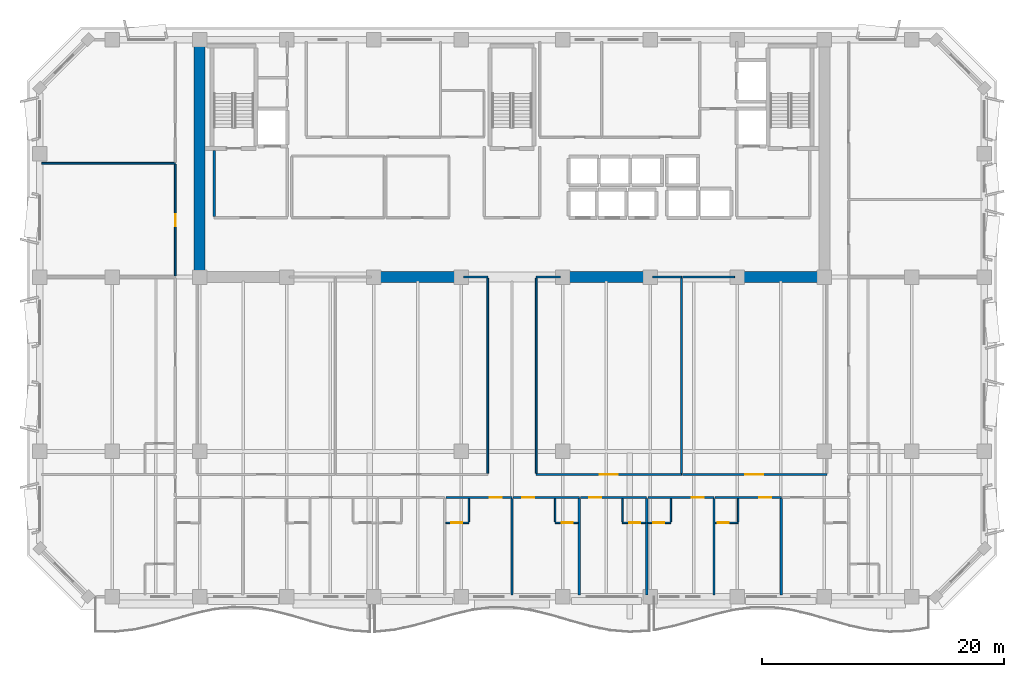
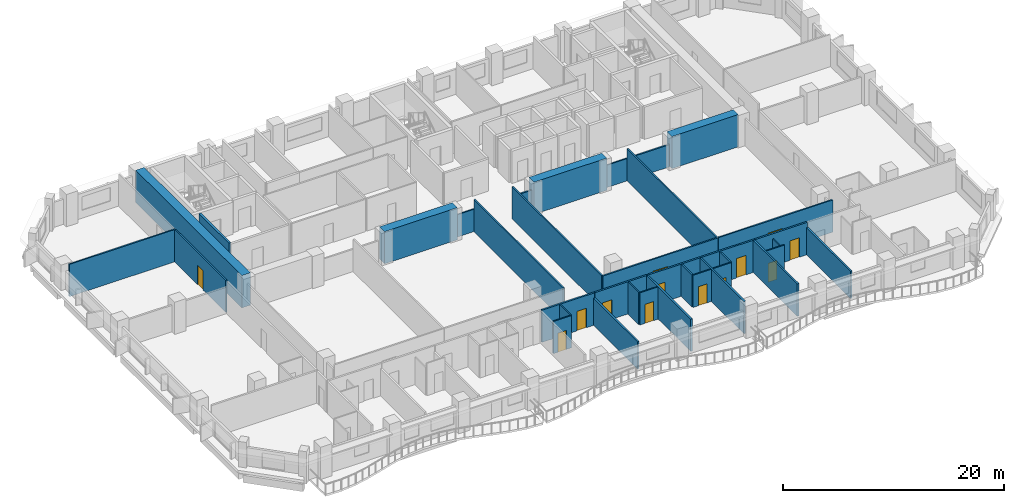
# One storey, part 6 of 15: 36 walls, 13 doors, 13 openings.
"""IFC4 building model written with IfcOpenShell, lengths in metres."""

from ifc_helpers import new_model, si_unit, direction, frame, frame_2d, origin, place, context, subcontext, project, spatial, rectangle, extrude, material, layer, layer_set, type_object, element, fill, save


model = new_model("IFC4")

# Units and contexts
model_context = context("Model", 3, precision=1e-05, world=origin(), true_north=direction((0.0, 1.0)))
body_context = subcontext(model_context, "Body", "Model", "MODEL_VIEW")
ifc_project = project(units=[si_unit("LENGTHUNIT", "METRE"), si_unit("AREAUNIT", "SQUARE_METRE"), si_unit("VOLUMEUNIT", "CUBIC_METRE"), si_unit("PLANEANGLEUNIT", "RADIAN"), si_unit("MASSUNIT", "GRAM", prefix="KILO")], contexts=[model_context])

# Site, building, storey
site_placement = place(None, origin())
site = spatial("IfcSite", under=ifc_project, at=site_placement, CompositionType="ELEMENT")
building_placement = place(site_placement, origin())
building = spatial("IfcBuilding", under=site, at=building_placement, Name="Kaelvorn Grand Hotel", CompositionType="ELEMENT")
storey_placement = place(building_placement, frame((0.0, 0.0, 146.75)))
storey = spatial("IfcBuildingStorey", under=building, at=storey_placement, Name="L35", CompositionType="ELEMENT", Elevation=146.75)

# Walls
ifc_material_1 = material(Name="Concrete C60/75", Category="concrete")
ifc_layer_1 = layer(ifc_material_1, 0.89990234375)
ifc_layer_set_1 = layer_set([ifc_layer_1], Name="Concrete C60/75")
wall_type_1 = type_object("IfcWallType", Name="WL-CORE-900-C60", PredefinedType="SHEAR", material=ifc_layer_set_1)
wall_1_placement = place(storey_placement, frame((16.199951171875, 29.39990234375, 0.0), z_axis=(0.0, 0.0, 1.0), x_axis=(0.0, 1.0, 0.0)))
element("IfcWall", 1, at=wall_1_placement, inside=storey, type_object=wall_type_1, Name="L35 Rear-Core West Shear Wall", PredefinedType="SHEAR", context=body_context, shape_type="SweptSolid", body=[
    extrude(rectangle(XDim=19.2001953125, YDim=0.89990234375, at=frame_2d((9.60009765625, 0.0))), origin(), (0.0, 0.0, 1.0), 3.56005859375),
])
for number, where, z_axis, x_axis, name in (
    (2, (30.39990234375, 29.39990234375, 0.0), (0.0, 0.0, 1.0), (1.0, 0.0, 0.0), "L35 Rear-Core Coupled Shear Pier S2"),
    (3, (46.0, 29.39990234375, 0.0), (0.0, 0.0, 1.0), (1.0, 0.0, 0.0), "L35 Rear-Core Coupled Shear Pier S3"),
):
    element("IfcWall", number, at=place(storey_placement, frame(where, z_axis=z_axis, x_axis=x_axis)), inside=storey, type_object=wall_type_1, Name=name, PredefinedType="SHEAR", context=body_context, shape_type="SweptSolid", body=[
        extrude(rectangle(XDim=7.60009765625, YDim=0.89990234375, at=frame_2d((3.800048828125, 0.0))), origin(), (0.0, 0.0, 1.0), 3.56005859375),
    ])
wall_2_placement = place(storey_placement, frame((60.39990234375, 29.39990234375, 0.0), z_axis=(0.0, 0.0, 1.0), x_axis=(1.0, 0.0, 0.0)))
element("IfcWall", 4, at=wall_2_placement, inside=storey, type_object=wall_type_1, Name="L35 Rear-Core Coupled Shear Pier S4", PredefinedType="SHEAR", context=body_context, shape_type="SweptSolid", body=[
    extrude(rectangle(XDim=6.945068359375, YDim=0.89990234375, at=frame_2d((3.47265625, 0.0))), origin(), (0.0, 0.0, 1.0), 3.56005859375),
])

# Wall, opening, door
ifc_material_2 = material(Name="Moisture-Resistant Tile & Stud Board")
ifc_layer_2 = layer(ifc_material_2, 0.125)
ifc_layer_set_2 = layer_set([ifc_layer_2], Name="Moisture-Resistant Tile & Stud Board")
wall_type_2 = type_object("IfcWallType", Name="WL-PART-125-WET", PredefinedType="PARTITIONING", material=ifc_layer_set_2)
wall_3_placement = place(storey_placement, frame((36.534912109375, 9.110107421875, 0.0), z_axis=(0.0, 0.0, 1.0), x_axis=(1.0, 0.0, 0.0)))
wall_3 = element("IfcWall", 5, at=wall_3_placement, inside=storey, type_object=wall_type_2, Name="L35 En-suite Bathroom L35-05 S Partition", PredefinedType="PARTITIONING", context=body_context, shape_type="SweptSolid", body=[
    extrude(rectangle(XDim=1.905029296875, YDim=0.125, at=frame_2d((0.95263671875, 0.0))), origin(), (0.0, 0.0, 1.0), 3.56005859375),
])
opening_1_placement = place(wall_3_placement, frame((0.455078125, 0.0, 0.0)))
opening_1 = element("IfcOpeningElement", 6, at=opening_1_placement, cuts=wall_3, Name="Opening DI4", PredefinedType="OPENING", context=body_context, shape_type="SweptSolid", body=[
    extrude(rectangle(XDim=0.89990234375, YDim=2.10009765625, at=frame_2d((0.449951171875, 1.050048828125))), frame((0.0, 0.072509765625, 0.0), z_axis=(0.0, -1.0, 0.0), x_axis=(1.0, 0.0, 0.0)), (0.0, 0.0, 1.0), 0.14501953125),
])
ifc_material_3 = material(Name="Timber Veneer Leaf", Category="wood")
door_type_1 = type_object("IfcDoorType", Name="DR-INT-BATH-900x2100", OperationType="NOTDEFINED", PredefinedType="DOOR", material=ifc_material_3)
door_1_placement = place(opening_1_placement, origin())
door_1 = element("IfcDoor", 7, at=door_1_placement, inside=storey, type_object=door_type_1, Name="L35 En-suite Bathroom L35-05 Door", OperationType="SINGLE_SWING_RIGHT", OverallHeight=2.10009765625, OverallWidth=0.89990234375, PredefinedType="DOOR", context=body_context, shape_type="SweptSolid", body=[
    extrude(rectangle(XDim=0.89990234375, YDim=2.10009765625, at=frame_2d((0.449951171875, 1.050048828125))), frame((0.0, 0.02490234375, 0.0), z_axis=(0.0, -1.0, 0.0), x_axis=(1.0, 0.0, 0.0)), (0.0, 0.0, 1.0), 0.050048828125),
])
fill(opening_1, door_1)

# Wall
wall_4_placement = place(storey_placement, frame((38.43994140625, 9.177490234375, 0.0), z_axis=(0.0, 0.0, 1.0), x_axis=(0.0, 1.0, 0.0)))
element("IfcWall", 8, at=wall_4_placement, inside=storey, type_object=wall_type_2, Name="L35 En-suite Bathroom L35-05 E Partition", PredefinedType="PARTITIONING", context=body_context, shape_type="SweptSolid", body=[
    extrude(rectangle(XDim=1.927490234375, YDim=0.125, at=frame_2d((0.9638671875, 0.0))), origin(), (0.0, 0.0, 1.0), 3.56005859375),
])

# Wall, opening, door
wall_5_placement = place(storey_placement, frame((45.56005859375, 9.110107421875, 0.0), z_axis=(0.0, 0.0, 1.0), x_axis=(1.0, 0.0, 0.0)))
wall_5 = element("IfcWall", 9, at=wall_5_placement, inside=storey, type_object=wall_type_2, Name="L35 En-suite Bathroom L35-06 S Partition", PredefinedType="PARTITIONING", context=body_context, shape_type="SweptSolid", body=[
    extrude(rectangle(XDim=1.905029296875, YDim=0.125, at=frame_2d((0.95263671875, 0.0))), origin(), (0.0, 0.0, 1.0), 3.56005859375),
])
opening_2_placement = place(wall_5_placement, frame((0.550048828125, 0.0, 0.0)))
opening_2 = element("IfcOpeningElement", 10, at=opening_2_placement, cuts=wall_5, Name="Opening DI4", PredefinedType="OPENING", context=body_context, shape_type="SweptSolid", body=[
    extrude(rectangle(XDim=0.89990234375, YDim=2.10009765625, at=frame_2d((0.449951171875, 1.050048828125))), frame((0.0, 0.072509765625, 0.0), z_axis=(0.0, -1.0, 0.0), x_axis=(1.0, 0.0, 0.0)), (0.0, 0.0, 1.0), 0.14501953125),
])
door_2_placement = place(opening_2_placement, origin())
door_2 = element("IfcDoor", 11, at=door_2_placement, inside=storey, type_object=door_type_1, Name="L35 En-suite Bathroom L35-06 Door", OperationType="SINGLE_SWING_RIGHT", OverallHeight=2.10009765625, OverallWidth=0.89990234375, PredefinedType="DOOR", context=body_context, shape_type="SweptSolid", body=[
    extrude(rectangle(XDim=0.89990234375, YDim=2.10009765625, at=frame_2d((0.449951171875, 1.050048828125))), frame((0.0, 0.02490234375, 0.0), z_axis=(0.0, -1.0, 0.0), x_axis=(1.0, 0.0, 0.0)), (0.0, 0.0, 1.0), 0.050048828125),
])
fill(opening_2, door_2)

# Wall
wall_6_placement = place(storey_placement, frame((45.56005859375, 9.177490234375, 0.0), z_axis=(0.0, 0.0, 1.0), x_axis=(0.0, 1.0, 0.0)))
element("IfcWall", 12, at=wall_6_placement, inside=storey, type_object=wall_type_2, Name="L35 En-suite Bathroom L35-06 W Partition", PredefinedType="PARTITIONING", context=body_context, shape_type="SweptSolid", body=[
    extrude(rectangle(XDim=1.927490234375, YDim=0.125, at=frame_2d((0.9638671875, 0.0))), origin(), (0.0, 0.0, 1.0), 3.56005859375),
])

# Wall, opening, door
wall_7_placement = place(storey_placement, frame((51.1201171875, 9.110107421875, 0.0), z_axis=(0.0, 0.0, 1.0), x_axis=(1.0, 0.0, 0.0)))
wall_7 = element("IfcWall", 13, at=wall_7_placement, inside=storey, type_object=wall_type_2, Name="L35 En-suite Bathroom L35-07 S Partition", PredefinedType="PARTITIONING", context=body_context, shape_type="SweptSolid", body=[
    extrude(rectangle(XDim=1.90478515625, YDim=0.125, at=frame_2d((0.952392578125, 0.0))), origin(), (0.0, 0.0, 1.0), 3.56005859375),
])
opening_3_placement = place(wall_7_placement, frame((0.550048828125, 0.0, 0.0)))
opening_3 = element("IfcOpeningElement", 14, at=opening_3_placement, cuts=wall_7, Name="Opening DI4", PredefinedType="OPENING", context=body_context, shape_type="SweptSolid", body=[
    extrude(rectangle(XDim=0.89990234375, YDim=2.10009765625, at=frame_2d((0.449951171875, 1.050048828125))), frame((0.0, 0.072509765625, 0.0), z_axis=(0.0, -1.0, 0.0), x_axis=(1.0, 0.0, 0.0)), (0.0, 0.0, 1.0), 0.14501953125),
])
door_3_placement = place(opening_3_placement, origin())
door_3 = element("IfcDoor", 15, at=door_3_placement, inside=storey, type_object=door_type_1, Name="L35 En-suite Bathroom L35-07 Door", OperationType="SINGLE_SWING_RIGHT", OverallHeight=2.10009765625, OverallWidth=0.89990234375, PredefinedType="DOOR", context=body_context, shape_type="SweptSolid", body=[
    extrude(rectangle(XDim=0.89990234375, YDim=2.10009765625, at=frame_2d((0.449951171875, 1.050048828125))), frame((0.0, 0.02490234375, 0.0), z_axis=(0.0, -1.0, 0.0), x_axis=(1.0, 0.0, 0.0)), (0.0, 0.0, 1.0), 0.050048828125),
])
fill(opening_3, door_3)

# Wall
wall_8_placement = place(storey_placement, frame((51.1201171875, 9.177490234375, 0.0), z_axis=(0.0, 0.0, 1.0), x_axis=(0.0, 1.0, 0.0)))
element("IfcWall", 16, at=wall_8_placement, inside=storey, type_object=wall_type_2, Name="L35 En-suite Bathroom L35-07 W Partition", PredefinedType="PARTITIONING", context=body_context, shape_type="SweptSolid", body=[
    extrude(rectangle(XDim=1.927490234375, YDim=0.125, at=frame_2d((0.9638671875, 0.0))), origin(), (0.0, 0.0, 1.0), 3.56005859375),
])

# Wall, opening, door
wall_9_placement = place(storey_placement, frame((53.215087890625, 9.110107421875, 0.0), z_axis=(0.0, 0.0, 1.0), x_axis=(1.0, 0.0, 0.0)))
wall_9 = element("IfcWall", 17, at=wall_9_placement, inside=storey, type_object=wall_type_2, Name="L35 En-suite Bathroom L35-08 S Partition", PredefinedType="PARTITIONING", context=body_context, shape_type="SweptSolid", body=[
    extrude(rectangle(XDim=1.905029296875, YDim=0.125, at=frame_2d((0.95263671875, 0.0))), origin(), (0.0, 0.0, 1.0), 3.56005859375),
])
opening_4_placement = place(wall_9_placement, frame((0.455078125, 0.0, 0.0)))
opening_4 = element("IfcOpeningElement", 18, at=opening_4_placement, cuts=wall_9, Name="Opening DI4", PredefinedType="OPENING", context=body_context, shape_type="SweptSolid", body=[
    extrude(rectangle(XDim=0.89990234375, YDim=2.10009765625, at=frame_2d((0.449951171875, 1.050048828125))), frame((0.0, 0.072509765625, 0.0), z_axis=(0.0, -1.0, 0.0), x_axis=(1.0, 0.0, 0.0)), (0.0, 0.0, 1.0), 0.14501953125),
])
door_4_placement = place(opening_4_placement, origin())
door_4 = element("IfcDoor", 19, at=door_4_placement, inside=storey, type_object=door_type_1, Name="L35 En-suite Bathroom L35-08 Door", OperationType="SINGLE_SWING_RIGHT", OverallHeight=2.10009765625, OverallWidth=0.89990234375, PredefinedType="DOOR", context=body_context, shape_type="SweptSolid", body=[
    extrude(rectangle(XDim=0.89990234375, YDim=2.10009765625, at=frame_2d((0.449951171875, 1.050048828125))), frame((0.0, 0.02490234375, 0.0), z_axis=(0.0, -1.0, 0.0), x_axis=(1.0, 0.0, 0.0)), (0.0, 0.0, 1.0), 0.050048828125),
])
fill(opening_4, door_4)

# Wall
wall_10_placement = place(storey_placement, frame((55.1201171875, 9.177490234375, 0.0), z_axis=(0.0, 0.0, 1.0), x_axis=(0.0, 1.0, 0.0)))
element("IfcWall", 20, at=wall_10_placement, inside=storey, type_object=wall_type_2, Name="L35 En-suite Bathroom L35-08 E Partition", PredefinedType="PARTITIONING", context=body_context, shape_type="SweptSolid", body=[
    extrude(rectangle(XDim=1.927490234375, YDim=0.125, at=frame_2d((0.9638671875, 0.0))), origin(), (0.0, 0.0, 1.0), 3.56005859375),
])

# Wall, opening, door
wall_11_placement = place(storey_placement, frame((58.77490234375, 9.110107421875, 0.0), z_axis=(0.0, 0.0, 1.0), x_axis=(1.0, 0.0, 0.0)))
wall_11 = element("IfcWall", 21, at=wall_11_placement, inside=storey, type_object=wall_type_2, Name="L35 En-suite Bathroom L35-09 S Partition", PredefinedType="PARTITIONING", context=body_context, shape_type="SweptSolid", body=[
    extrude(rectangle(XDim=1.905029296875, YDim=0.125, at=frame_2d((0.95263671875, 0.0))), origin(), (0.0, 0.0, 1.0), 3.56005859375),
])
opening_5_placement = place(wall_11_placement, frame((0.205078125, 0.0, 0.0)))
opening_5 = element("IfcOpeningElement", 22, at=opening_5_placement, cuts=wall_11, Name="Opening DI4", PredefinedType="OPENING", context=body_context, shape_type="SweptSolid", body=[
    extrude(rectangle(XDim=0.89990234375, YDim=2.10009765625, at=frame_2d((0.449951171875, 1.050048828125))), frame((0.0, 0.072509765625, 0.0), z_axis=(0.0, -1.0, 0.0), x_axis=(1.0, 0.0, 0.0)), (0.0, 0.0, 1.0), 0.14501953125),
])
door_5_placement = place(opening_5_placement, origin())
door_5 = element("IfcDoor", 23, at=door_5_placement, inside=storey, type_object=door_type_1, Name="L35 En-suite Bathroom L35-09 Door", OperationType="SINGLE_SWING_RIGHT", OverallHeight=2.10009765625, OverallWidth=0.89990234375, PredefinedType="DOOR", context=body_context, shape_type="SweptSolid", body=[
    extrude(rectangle(XDim=0.89990234375, YDim=2.10009765625, at=frame_2d((0.449951171875, 1.050048828125))), frame((0.0, 0.02490234375, 0.0), z_axis=(0.0, -1.0, 0.0), x_axis=(1.0, 0.0, 0.0)), (0.0, 0.0, 1.0), 0.050048828125),
])
fill(opening_5, door_5)

# Walls
wall_12_placement = place(storey_placement, frame((60.679931640625, 9.177490234375, 0.0), z_axis=(0.0, 0.0, 1.0), x_axis=(0.0, 1.0, 0.0)))
element("IfcWall", 24, at=wall_12_placement, inside=storey, type_object=wall_type_2, Name="L35 En-suite Bathroom L35-09 E Partition", PredefinedType="PARTITIONING", context=body_context, shape_type="SweptSolid", body=[
    extrude(rectangle(XDim=1.927490234375, YDim=0.125, at=frame_2d((0.9638671875, 0.0))), origin(), (0.0, 0.0, 1.0), 3.010009765625),
])
ifc_material_4 = material(Name="Acoustic Gypsum & Stud Partition")
ifc_layer_3 = layer(ifc_material_4, 0.14990234375)
ifc_layer_set_3 = layer_set([ifc_layer_3], Name="Acoustic Gypsum & Stud Partition")
wall_type_3 = type_object("IfcWallType", Name="WL-PART-150-EI60", PredefinedType="PARTITIONING", material=ifc_layer_set_3)
wall_13_placement = place(storey_placement, frame((38.010009765625, 29.39990234375, 0.0), z_axis=(0.0, 0.0, 1.0), x_axis=(1.0, 0.0, 0.0)))
element("IfcWall", 25, at=wall_13_placement, inside=storey, type_object=wall_type_3, Name="L35 Hospitality Tea Kitchen N Partition (2)", PredefinedType="PARTITIONING", context=body_context, shape_type="SweptSolid", body=[
    extrude(rectangle(XDim=1.989990234375, YDim=0.14990234375, at=frame_2d((0.9951171875, 0.0))), origin(), (0.0, 0.0, 1.0), 2.4599609375),
])
wall_14_placement = place(storey_placement, frame((40.0, 13.179931640625, 0.0), z_axis=(0.0, 0.0, 1.0), x_axis=(0.0, 1.0, 0.0)))
element("IfcWall", 26, at=wall_14_placement, inside=storey, type_object=wall_type_3, Name="L35 Hospitality Tea Kitchen E Partition", PredefinedType="PARTITIONING", context=body_context, shape_type="SweptSolid", body=[
    extrude(rectangle(XDim=16.14013671875, YDim=0.14990234375, at=frame_2d((8.070068359375, 0.0))), origin(), (0.0, 0.0, 1.0), 3.56005859375),
])

# Wall, opening, door
wall_15_placement = place(storey_placement, frame((44.0, 13.10009765625, 0.0), z_axis=(0.0, 0.0, 1.0), x_axis=(1.0, 0.0, 0.0)))
wall_15 = element("IfcWall", 27, at=wall_15_placement, inside=storey, type_object=wall_type_3, Name="L35 Executive Study Office S Partition", PredefinedType="PARTITIONING", context=body_context, shape_type="SweptSolid", body=[
    extrude(rectangle(XDim=12.0, YDim=0.14990234375, at=frame_2d((6.0, 0.0))), origin(), (0.0, 0.0, 1.0), 3.56005859375),
])
opening_6_placement = place(wall_15_placement, frame((5.25, 0.0, 0.0)))
opening_6 = element("IfcOpeningElement", 28, at=opening_6_placement, cuts=wall_15, Name="Opening DI5", PredefinedType="OPENING", context=body_context, shape_type="SweptSolid", body=[
    extrude(rectangle(XDim=1.5, YDim=2.25, at=frame_2d((0.75, 1.125))), frame((0.0, 0.0849609375, 0.0), z_axis=(0.0, -1.0, 0.0), x_axis=(1.0, 0.0, 0.0)), (0.0, 0.0, 1.0), 0.169921875),
])
ifc_material_5 = material(Name="Timber Veneer Fire Leaf", Category="wood")
door_type_2 = type_object("IfcDoorType", Name="DR-INT-SALON-1500x2250", OperationType="DOUBLE_DOOR_SINGLE_SWING", PredefinedType="DOOR", material=ifc_material_5)
door_6_placement = place(opening_6_placement, origin())
door_6 = element("IfcDoor", 29, at=door_6_placement, inside=storey, type_object=door_type_2, Name="L35 Executive Study Office Door", OperationType="DOUBLE_DOOR_SINGLE_SWING", OverallHeight=2.25, OverallWidth=1.5, PredefinedType="DOOR", context=body_context, shape_type="SweptSolid", body=[
    extrude(rectangle(XDim=1.5, YDim=2.25, at=frame_2d((0.75, 1.125))), frame((0.0, 0.02490234375, 0.0), z_axis=(0.0, -1.0, 0.0), x_axis=(1.0, 0.0, 0.0)), (0.0, 0.0, 1.0), 0.050048828125),
])
fill(opening_6, door_6)

# Walls
wall_16_placement = place(storey_placement, frame((44.0, 29.39990234375, 0.0), z_axis=(0.0, 0.0, 1.0), x_axis=(1.0, 0.0, 0.0)))
element("IfcWall", 30, at=wall_16_placement, inside=storey, type_object=wall_type_3, Name="L35 Executive Study Office N Partition (1)", PredefinedType="PARTITIONING", context=body_context, shape_type="SweptSolid", body=[
    extrude(rectangle(XDim=1.989990234375, YDim=0.14990234375, at=frame_2d((0.9951171875, 0.0))), origin(), (0.0, 0.0, 1.0), 2.4599609375),
])
wall_17_placement = place(storey_placement, frame((53.610107421875, 29.39990234375, 0.0), z_axis=(0.0, 0.0, 1.0), x_axis=(1.0, 0.0, 0.0)))
element("IfcWall", 31, at=wall_17_placement, inside=storey, type_object=wall_type_3, Name="L35 Executive Study Office N Partition (2)", PredefinedType="PARTITIONING", context=body_context, shape_type="SweptSolid", body=[
    extrude(rectangle(XDim=2.389892578125, YDim=0.14990234375, at=frame_2d((1.19482421875, 0.0))), origin(), (0.0, 0.0, 1.0), 2.4599609375),
])
for number, where, z_axis, x_axis, name in (
    (32, (44.0, 13.179931640625, 0.0), (0.0, 0.0, 1.0), (0.0, 1.0, 0.0), "L35 Executive Study Office W Partition"),
    (33, (56.0, 13.179931640625, 0.0), (0.0, 0.0, 1.0), (0.0, 1.0, 0.0), "L35 Executive Study Office E Partition"),
):
    element("IfcWall", number, at=place(storey_placement, frame(where, z_axis=z_axis, x_axis=x_axis)), inside=storey, type_object=wall_type_3, Name=name, PredefinedType="PARTITIONING", context=body_context, shape_type="SweptSolid", body=[
        extrude(rectangle(XDim=16.14013671875, YDim=0.14990234375, at=frame_2d((8.070068359375, 0.0))), origin(), (0.0, 0.0, 1.0), 3.56005859375),
    ])

# Wall, opening, door
wall_18_placement = place(storey_placement, frame((56.080078125, 13.10009765625, 0.0), z_axis=(0.0, 0.0, 1.0), x_axis=(1.0, 0.0, 0.0)))
wall_18 = element("IfcWall", 34, at=wall_18_placement, inside=storey, type_object=wall_type_3, Name="L35 Wellness Fitness Gym S Partition", PredefinedType="PARTITIONING", context=body_context, shape_type="SweptSolid", body=[
    extrude(rectangle(XDim=11.919921875, YDim=0.14990234375, at=frame_2d((5.9599609375, 0.0))), origin(), (0.0, 0.0, 1.0), 3.56005859375),
])
opening_7_placement = place(wall_18_placement, frame((5.169921875, 0.0, 0.0)))
opening_7 = element("IfcOpeningElement", 35, at=opening_7_placement, cuts=wall_18, Name="Opening DI5", PredefinedType="OPENING", context=body_context, shape_type="SweptSolid", body=[
    extrude(rectangle(XDim=1.5, YDim=2.25, at=frame_2d((0.75, 1.125))), frame((0.0, 0.0849609375, 0.0), z_axis=(0.0, -1.0, 0.0), x_axis=(1.0, 0.0, 0.0)), (0.0, 0.0, 1.0), 0.169921875),
])
door_7_placement = place(opening_7_placement, origin())
door_7 = element("IfcDoor", 36, at=door_7_placement, inside=storey, type_object=door_type_2, Name="L35 Wellness Fitness Gym Door", OperationType="DOUBLE_DOOR_SINGLE_SWING", OverallHeight=2.25, OverallWidth=1.5, PredefinedType="DOOR", context=body_context, shape_type="SweptSolid", body=[
    extrude(rectangle(XDim=1.5, YDim=2.25, at=frame_2d((0.75, 1.125))), frame((0.0, 0.02490234375, 0.0), z_axis=(0.0, -1.0, 0.0), x_axis=(1.0, 0.0, 0.0)), (0.0, 0.0, 1.0), 0.050048828125),
])
fill(opening_7, door_7)

# Walls
wall_19_placement = place(storey_placement, frame((56.080078125, 29.39990234375, 0.0), z_axis=(0.0, 0.0, 1.0), x_axis=(1.0, 0.0, 0.0)))
element("IfcWall", 37, at=wall_19_placement, inside=storey, type_object=wall_type_3, Name="L35 Wellness Fitness Gym N Partition", PredefinedType="PARTITIONING", context=body_context, shape_type="SweptSolid", body=[
    extrude(rectangle(XDim=4.309814453125, YDim=0.14990234375, at=frame_2d((2.15478515625, 0.0))), origin(), (0.0, 0.0, 1.0), 2.4599609375),
])
wall_20_placement = place(storey_placement, frame((3.14990234375, 38.800048828125, 0.0), z_axis=(0.0, 0.0, 1.0), x_axis=(1.0, 0.0, 0.0)))
element("IfcWall", 38, at=wall_20_placement, inside=storey, type_object=wall_type_3, Name="L35 North-West Private Dining Restaurant N Partition", PredefinedType="PARTITIONING", context=body_context, shape_type="SweptSolid", body=[
    extrude(rectangle(XDim=11.050048828125, YDim=0.14990234375, at=frame_2d((5.52490234375, 0.0))), origin(), (0.0, 0.0, 1.0), 3.56005859375),
])

# Wall, opening, door
wall_21_placement = place(storey_placement, frame((14.199951171875, 29.4951171875, 0.0), z_axis=(0.0, 0.0, 1.0), x_axis=(0.0, 1.0, 0.0)))
wall_21 = element("IfcWall", 39, at=wall_21_placement, inside=storey, type_object=wall_type_3, Name="L35 North-West Private Dining Restaurant E Partition", PredefinedType="PARTITIONING", context=body_context, shape_type="SweptSolid", body=[
    extrude(rectangle(XDim=9.224853515625, YDim=0.14990234375, at=frame_2d((4.6123046875, 0.0))), origin(), (0.0, 0.0, 1.0), 3.56005859375),
])
opening_8_placement = place(wall_21_placement, frame((4.10498046875, 0.0, 0.0)))
opening_8 = element("IfcOpeningElement", 40, at=opening_8_placement, cuts=wall_21, Name="Opening DI3", PredefinedType="OPENING", context=body_context, shape_type="SweptSolid", body=[
    extrude(rectangle(XDim=1.0, YDim=2.14990234375, at=frame_2d((0.5, 1.074951171875))), frame((0.0, 0.0849609375, 0.0), z_axis=(0.0, -1.0, 0.0), x_axis=(1.0, 0.0, 0.0)), (0.0, 0.0, 1.0), 0.169921875),
])
door_type_3 = type_object("IfcDoorType", Name="DR-INT-GUEST-1000x2150", OperationType="NOTDEFINED", PredefinedType="DOOR", material=ifc_material_5)
door_8_placement = place(opening_8_placement, origin())
door_8 = element("IfcDoor", 41, at=door_8_placement, inside=storey, type_object=door_type_3, Name="L35 North-West Private Dining Restaurant Door", OperationType="SINGLE_SWING_LEFT", OverallHeight=2.14990234375, OverallWidth=1.0, PredefinedType="DOOR", context=body_context, shape_type="SweptSolid", body=[
    extrude(rectangle(XDim=1.0, YDim=2.14990234375, at=frame_2d((0.5, 1.074951171875))), frame((0.0, 0.02490234375, 0.0), z_axis=(0.0, -1.0, 0.0), x_axis=(1.0, 0.0, 0.0)), (0.0, 0.0, 1.0), 0.050048828125),
])
fill(opening_8, door_8)

ifc_layer_4 = layer(ifc_material_4, 0.179931640625)
ifc_layer_set_4 = layer_set([ifc_layer_4], Name="Acoustic Gypsum & Stud Partition")
wall_type_4 = type_object("IfcWallType", Name="WL-PART-180-EI60", PredefinedType="PARTITIONING", material=ifc_layer_set_4)
wall_22_placement = place(storey_placement, frame((36.534912109375, 11.199951171875, 0.0), z_axis=(0.0, 0.0, 1.0), x_axis=(1.0, 0.0, 0.0)))
wall_22 = element("IfcWall", 42, at=wall_22_placement, inside=storey, type_object=wall_type_4, Name="L35 Mid-Rise Signature Suite L35-05 N Partition", PredefinedType="PARTITIONING", context=body_context, shape_type="SweptSolid", body=[
    extrude(rectangle(XDim=5.465087890625, YDim=0.179931640625, at=frame_2d((2.732421875, 0.0))), origin(), (0.0, 0.0, 1.0), 3.56005859375),
])
opening_9_placement = place(wall_22_placement, frame((3.635009765625, 0.0, 0.0)))
opening_9 = element("IfcOpeningElement", 43, at=opening_9_placement, cuts=wall_22, Name="Opening DI3", PredefinedType="OPENING", context=body_context, shape_type="SweptSolid", body=[
    extrude(rectangle(XDim=1.0, YDim=2.14990234375, at=frame_2d((0.5, 1.074951171875))), frame((0.0, 0.10009765625, 0.0), z_axis=(0.0, -1.0, 0.0), x_axis=(1.0, 0.0, 0.0)), (0.0, 0.0, 1.0), 0.199951171875),
])
door_9_placement = place(opening_9_placement, origin())
door_9 = element("IfcDoor", 44, at=door_9_placement, inside=storey, type_object=door_type_3, Name="L35 Mid-Rise Signature Suite L35-05 Door", OperationType="SINGLE_SWING_LEFT", OverallHeight=2.14990234375, OverallWidth=1.0, PredefinedType="DOOR", context=body_context, shape_type="SweptSolid", body=[
    extrude(rectangle(XDim=1.0, YDim=2.14990234375, at=frame_2d((0.5, 1.074951171875))), frame((0.0, 0.02490234375, 0.0), z_axis=(0.0, -1.0, 0.0), x_axis=(1.0, 0.0, 0.0)), (0.0, 0.0, 1.0), 0.050048828125),
])
fill(opening_9, door_9)

# Wall
wall_23_placement = place(storey_placement, frame((42.0, 3.14990234375, 0.0), z_axis=(0.0, 0.0, 1.0), x_axis=(0.0, 1.0, 0.0)))
element("IfcWall", 45, at=wall_23_placement, inside=storey, type_object=wall_type_4, Name="L35 Mid-Rise Signature Suite L35-05 E Partition", PredefinedType="PARTITIONING", context=body_context, shape_type="SweptSolid", body=[
    extrude(rectangle(XDim=7.955078125, YDim=0.179931640625, at=frame_2d((3.9775390625, 0.0))), origin(), (0.0, 0.0, 1.0), 3.010009765625),
])

# Wall, opening, door
wall_24_placement = place(storey_placement, frame((42.094970703125, 11.199951171875, 0.0), z_axis=(0.0, 0.0, 1.0), x_axis=(1.0, 0.0, 0.0)))
wall_24 = element("IfcWall", 46, at=wall_24_placement, inside=storey, type_object=wall_type_4, Name="L35 Superior King Guest Room L35-06 N Partition", PredefinedType="PARTITIONING", context=body_context, shape_type="SweptSolid", body=[
    extrude(rectangle(XDim=5.465087890625, YDim=0.179931640625, at=frame_2d((2.732421875, 0.0))), origin(), (0.0, 0.0, 1.0), 3.56005859375),
])
opening_10_placement = place(wall_24_placement, frame((0.735107421875, 0.0, 0.0)))
opening_10 = element("IfcOpeningElement", 47, at=opening_10_placement, cuts=wall_24, Name="Opening DI3", PredefinedType="OPENING", context=body_context, shape_type="SweptSolid", body=[
    extrude(rectangle(XDim=1.0, YDim=2.14990234375, at=frame_2d((0.5, 1.074951171875))), frame((0.0, 0.10009765625, 0.0), z_axis=(0.0, -1.0, 0.0), x_axis=(1.0, 0.0, 0.0)), (0.0, 0.0, 1.0), 0.199951171875),
])
door_10_placement = place(opening_10_placement, origin())
door_10 = element("IfcDoor", 48, at=door_10_placement, inside=storey, type_object=door_type_3, Name="L35 Superior King Guest Room L35-06 Door", OperationType="SINGLE_SWING_LEFT", OverallHeight=2.14990234375, OverallWidth=1.0, PredefinedType="DOOR", context=body_context, shape_type="SweptSolid", body=[
    extrude(rectangle(XDim=1.0, YDim=2.14990234375, at=frame_2d((0.5, 1.074951171875))), frame((0.0, 0.02490234375, 0.0), z_axis=(0.0, -1.0, 0.0), x_axis=(1.0, 0.0, 0.0)), (0.0, 0.0, 1.0), 0.050048828125),
])
fill(opening_10, door_10)

# Wall
wall_25_placement = place(storey_placement, frame((47.56005859375, 3.14990234375, 0.0), z_axis=(0.0, 0.0, 1.0), x_axis=(0.0, 1.0, 0.0)))
element("IfcWall", 49, at=wall_25_placement, inside=storey, type_object=wall_type_4, Name="L35 Superior King Guest Room L35-06 E Partition", PredefinedType="PARTITIONING", context=body_context, shape_type="SweptSolid", body=[
    extrude(rectangle(XDim=7.955078125, YDim=0.179931640625, at=frame_2d((3.9775390625, 0.0))), origin(), (0.0, 0.0, 1.0), 3.56005859375),
])

# Wall, opening, door
wall_26_placement = place(storey_placement, frame((47.655029296875, 11.199951171875, 0.0), z_axis=(0.0, 0.0, 1.0), x_axis=(1.0, 0.0, 0.0)))
wall_26 = element("IfcWall", 50, at=wall_26_placement, inside=storey, type_object=wall_type_4, Name="L35 Mid-Rise Signature Suite L35-07 N Partition", PredefinedType="PARTITIONING", context=body_context, shape_type="SweptSolid", body=[
    extrude(rectangle(XDim=5.465087890625, YDim=0.179931640625, at=frame_2d((2.732421875, 0.0))), origin(), (0.0, 0.0, 1.0), 3.56005859375),
])
opening_11_placement = place(wall_26_placement, frame((0.735107421875, 0.0, 0.0)))
opening_11 = element("IfcOpeningElement", 51, at=opening_11_placement, cuts=wall_26, Name="Opening DI3", PredefinedType="OPENING", context=body_context, shape_type="SweptSolid", body=[
    extrude(rectangle(XDim=1.0, YDim=2.14990234375, at=frame_2d((0.5, 1.074951171875))), frame((0.0, 0.10009765625, 0.0), z_axis=(0.0, -1.0, 0.0), x_axis=(1.0, 0.0, 0.0)), (0.0, 0.0, 1.0), 0.199951171875),
])
door_11_placement = place(opening_11_placement, origin())
door_11 = element("IfcDoor", 52, at=door_11_placement, inside=storey, type_object=door_type_3, Name="L35 Mid-Rise Signature Suite L35-07 Door", OperationType="SINGLE_SWING_LEFT", OverallHeight=2.14990234375, OverallWidth=1.0, PredefinedType="DOOR", context=body_context, shape_type="SweptSolid", body=[
    extrude(rectangle(XDim=1.0, YDim=2.14990234375, at=frame_2d((0.5, 1.074951171875))), frame((0.0, 0.02490234375, 0.0), z_axis=(0.0, -1.0, 0.0), x_axis=(1.0, 0.0, 0.0)), (0.0, 0.0, 1.0), 0.050048828125),
])
fill(opening_11, door_11)

# Wall
wall_27_placement = place(storey_placement, frame((53.1201171875, 3.14990234375, 0.0), z_axis=(0.0, 0.0, 1.0), x_axis=(0.0, 1.0, 0.0)))
element("IfcWall", 53, at=wall_27_placement, inside=storey, type_object=wall_type_4, Name="L35 Mid-Rise Signature Suite L35-07 E Partition", PredefinedType="PARTITIONING", context=body_context, shape_type="SweptSolid", body=[
    extrude(rectangle(XDim=7.955078125, YDim=0.179931640625, at=frame_2d((3.9775390625, 0.0))), origin(), (0.0, 0.0, 1.0), 3.56005859375),
])

# Wall, opening, door
wall_28_placement = place(storey_placement, frame((53.215087890625, 11.199951171875, 0.0), z_axis=(0.0, 0.0, 1.0), x_axis=(1.0, 0.0, 0.0)))
wall_28 = element("IfcWall", 54, at=wall_28_placement, inside=storey, type_object=wall_type_4, Name="L35 Superior King Guest Room L35-08 N Partition", PredefinedType="PARTITIONING", context=body_context, shape_type="SweptSolid", body=[
    extrude(rectangle(XDim=5.46484375, YDim=0.179931640625, at=frame_2d((2.732421875, 0.0))), origin(), (0.0, 0.0, 1.0), 3.56005859375),
])
opening_12_placement = place(wall_28_placement, frame((3.635009765625, 0.0, 0.0)))
opening_12 = element("IfcOpeningElement", 55, at=opening_12_placement, cuts=wall_28, Name="Opening DI3", PredefinedType="OPENING", context=body_context, shape_type="SweptSolid", body=[
    extrude(rectangle(XDim=1.0, YDim=2.14990234375, at=frame_2d((0.5, 1.074951171875))), frame((0.0, 0.10009765625, 0.0), z_axis=(0.0, -1.0, 0.0), x_axis=(1.0, 0.0, 0.0)), (0.0, 0.0, 1.0), 0.199951171875),
])
door_12_placement = place(opening_12_placement, origin())
door_12 = element("IfcDoor", 56, at=door_12_placement, inside=storey, type_object=door_type_3, Name="L35 Superior King Guest Room L35-08 Door", OperationType="SINGLE_SWING_LEFT", OverallHeight=2.14990234375, OverallWidth=1.0, PredefinedType="DOOR", context=body_context, shape_type="SweptSolid", body=[
    extrude(rectangle(XDim=1.0, YDim=2.14990234375, at=frame_2d((0.5, 1.074951171875))), frame((0.0, 0.02490234375, 0.0), z_axis=(0.0, -1.0, 0.0), x_axis=(1.0, 0.0, 0.0)), (0.0, 0.0, 1.0), 0.050048828125),
])
fill(opening_12, door_12)

# Wall
wall_29_placement = place(storey_placement, frame((58.679931640625, 3.14990234375, 0.0), z_axis=(0.0, 0.0, 1.0), x_axis=(0.0, 1.0, 0.0)))
element("IfcWall", 57, at=wall_29_placement, inside=storey, type_object=wall_type_4, Name="L35 Superior King Guest Room L35-08 E Partition", PredefinedType="PARTITIONING", context=body_context, shape_type="SweptSolid", body=[
    extrude(rectangle(XDim=7.955078125, YDim=0.179931640625, at=frame_2d((3.9775390625, 0.0))), origin(), (0.0, 0.0, 1.0), 3.56005859375),
])

# Wall, opening, door
wall_30_placement = place(storey_placement, frame((58.77490234375, 11.199951171875, 0.0), z_axis=(0.0, 0.0, 1.0), x_axis=(1.0, 0.0, 0.0)))
wall_30 = element("IfcWall", 58, at=wall_30_placement, inside=storey, type_object=wall_type_4, Name="L35 Mid-Rise Signature Suite L35-09 N Partition", PredefinedType="PARTITIONING", context=body_context, shape_type="SweptSolid", body=[
    extrude(rectangle(XDim=5.465087890625, YDim=0.179931640625, at=frame_2d((2.732421875, 0.0))), origin(), (0.0, 0.0, 1.0), 3.56005859375),
])
opening_13_placement = place(wall_30_placement, frame((3.635009765625, 0.0, 0.0)))
opening_13 = element("IfcOpeningElement", 59, at=opening_13_placement, cuts=wall_30, Name="Opening DI3", PredefinedType="OPENING", context=body_context, shape_type="SweptSolid", body=[
    extrude(rectangle(XDim=1.0, YDim=2.14990234375, at=frame_2d((0.5, 1.074951171875))), frame((0.0, 0.10009765625, 0.0), z_axis=(0.0, -1.0, 0.0), x_axis=(1.0, 0.0, 0.0)), (0.0, 0.0, 1.0), 0.199951171875),
])
door_13_placement = place(opening_13_placement, origin())
door_13 = element("IfcDoor", 60, at=door_13_placement, inside=storey, type_object=door_type_3, Name="L35 Mid-Rise Signature Suite L35-09 Door", OperationType="SINGLE_SWING_LEFT", OverallHeight=2.14990234375, OverallWidth=1.0, PredefinedType="DOOR", context=body_context, shape_type="SweptSolid", body=[
    extrude(rectangle(XDim=1.0, YDim=2.14990234375, at=frame_2d((0.5, 1.074951171875))), frame((0.0, 0.02490234375, 0.0), z_axis=(0.0, -1.0, 0.0), x_axis=(1.0, 0.0, 0.0)), (0.0, 0.0, 1.0), 0.050048828125),
])
fill(opening_13, door_13)

# Walls
wall_31_placement = place(storey_placement, frame((64.239990234375, 3.14990234375, 0.0), z_axis=(0.0, 0.0, 1.0), x_axis=(0.0, 1.0, 0.0)))
element("IfcWall", 61, at=wall_31_placement, inside=storey, type_object=wall_type_4, Name="L35 Mid-Rise Signature Suite L35-09 E Partition", PredefinedType="PARTITIONING", context=body_context, shape_type="SweptSolid", body=[
    extrude(rectangle(XDim=7.955078125, YDim=0.179931640625, at=frame_2d((3.9775390625, 0.0))), origin(), (0.0, 0.0, 1.0), 3.010009765625),
])
ifc_material_6 = material(Name="Concrete C40/50", Category="concrete")
ifc_layer_5 = layer(ifc_material_6, 0.219970703125)
ifc_layer_set_5 = layer_set([ifc_layer_5], Name="Concrete C40/50")
wall_type_5 = type_object("IfcWallType", Name="WL-PART-220-EI120", PredefinedType="PARTITIONING", material=ifc_layer_set_5)
wall_32_placement = place(storey_placement, frame((17.39990234375, 34.4150390625, 0.0), z_axis=(0.0, 0.0, 1.0), x_axis=(0.0, 1.0, 0.0)))
element("IfcWall", 62, at=wall_32_placement, inside=storey, type_object=wall_type_5, Name="L35 Firefighting Lift Lobby 1 W Partition", PredefinedType="PARTITIONING", context=body_context, shape_type="SweptSolid", body=[
    extrude(rectangle(XDim=5.429931640625, YDim=0.219970703125, at=frame_2d((2.71484375, 0.0))), origin(), (0.0, 0.0, 1.0), 3.56005859375),
])

save(model, "model.ifc")
